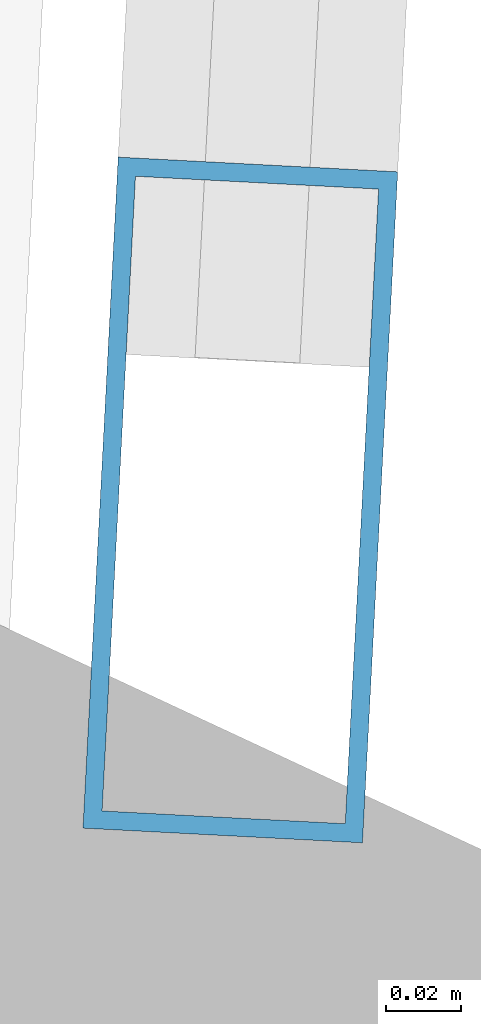
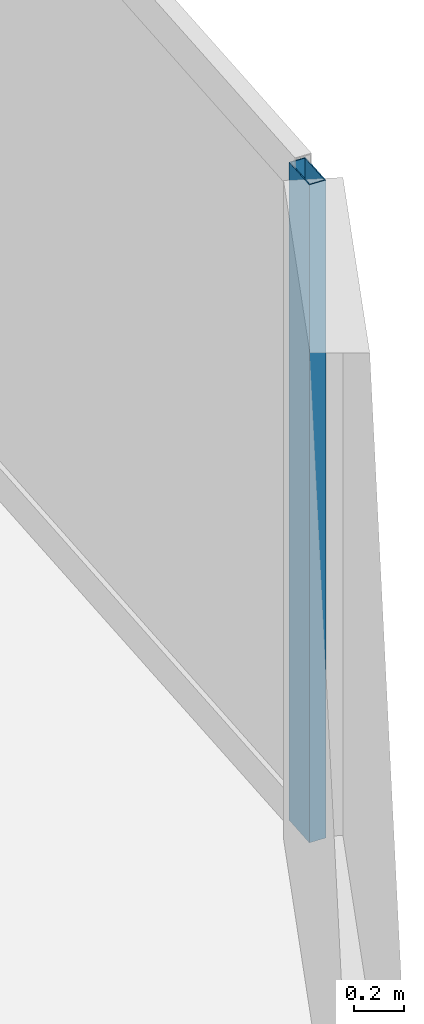
# One storey, part 6 of 19: 1 member, 1 element without a shape of its own.
"""IFC4 building model written with IfcOpenShell, lengths in metres."""

from ifc_helpers import new_model, si_unit, direction, frame, origin, origin_2d, place, context, subcontext, project, spatial, hollow_rectangle, extrude, source, transform, mapped, material, layer, layer_set, material_profile, profile_set, type_object, type_shapes, element, aggregate, save


model = new_model("IFC4")

# Units and contexts
model_context = context("Model", 3, precision=1e-05, world=origin(), true_north=direction((0.0, 1.0)))
body_context = subcontext(model_context, "Body", "Model", "MODEL_VIEW")
ifc_project = project(units=[si_unit("LENGTHUNIT", "METRE"), si_unit("AREAUNIT", "SQUARE_METRE"), si_unit("VOLUMEUNIT", "CUBIC_METRE"), si_unit("PLANEANGLEUNIT", "RADIAN"), si_unit("MASSUNIT", "GRAM", prefix="KILO")], contexts=[model_context])

# Site, building, storey
site_placement = place(None, origin())
site = spatial("IfcSite", under=ifc_project, at=site_placement, CompositionType="ELEMENT")
building_placement = place(site_placement, origin())
building = spatial("IfcBuilding", under=site, at=building_placement, Name="Talar Marvaseh", CompositionType="ELEMENT")
storey_placement = place(building_placement, frame((0.0, 0.0, 218.699951171875)))
storey = spatial("IfcBuildingStorey", under=building, at=storey_placement, Name="L57", CompositionType="ELEMENT", Elevation=218.699951171875)

# Curtain wall, member
ifc_material = material(Name="Architectural Aluminium", Category="aluminium")
ifc_layer = layer(ifc_material, 0.18994140625)
ifc_layer_set = layer_set([ifc_layer], Name="Architectural Aluminium")
curtain_wall_type = type_object("IfcCurtainWallType", Name="Unitised Solar Atelier Curtain Wall Z3", PredefinedType="NOTDEFINED", material=ifc_layer_set)
curtain_wall_placement = place(storey_placement, origin())
curtain_wall = element("IfcCurtainWall", 1, at=curtain_wall_placement, inside=storey, type_object=curtain_wall_type, Name="L57 Unitised Solar Atelier Curtain Wall Z3", PredefinedType="NOTDEFINED")
ifc_material_profile = material_profile(ifc_material, hollow_rectangle(XDim=0.074951171875, YDim=0.179931640625, WallThickness=0.0048828125, at=origin_2d()), Name="RHS180x75x5")
ifc_profile_set = profile_set([ifc_material_profile], Name="Architectural Aluminium")
member_type = type_object("IfcMemberType", Name="Unitised Curtain Wall Standard Mullion RHS180x75x5", PredefinedType="MULLION", material=ifc_profile_set)
shared_shape = source(origin(), body_context, "Body", "SweptSolid", [
    extrude(hollow_rectangle(XDim=0.074951171875, YDim=0.179931640625, WallThickness=0.0048828125, at=origin_2d()), origin(), (0.0, 0.0, 1.0), 3.22998046875),
])
type_shapes(member_type, [shared_shape])
member_placement = place(storey_placement, frame((39.490478515625, 22.82568359375, 0.0), z_axis=(0.0, 0.0, 1.0), x_axis=(0.998621550515, -0.052488082901, 0.0)))
member = element("IfcMember", 2, at=member_placement, type_object=member_type, Name="CW-Z3 mullion 5", PredefinedType="MULLION", context=body_context, shape_type="MappedRepresentation", body=[
    mapped(shared_shape, transform((0.0, 0.0, 0.0), x_axis=(1.0, 0.0, 0.0), y_axis=(0.0, 1.0, 0.0), z_axis=(0.0, 0.0, 1.0), scale=1.0)),
])
aggregate(curtain_wall, [member])

save(model, "model.ifc")
